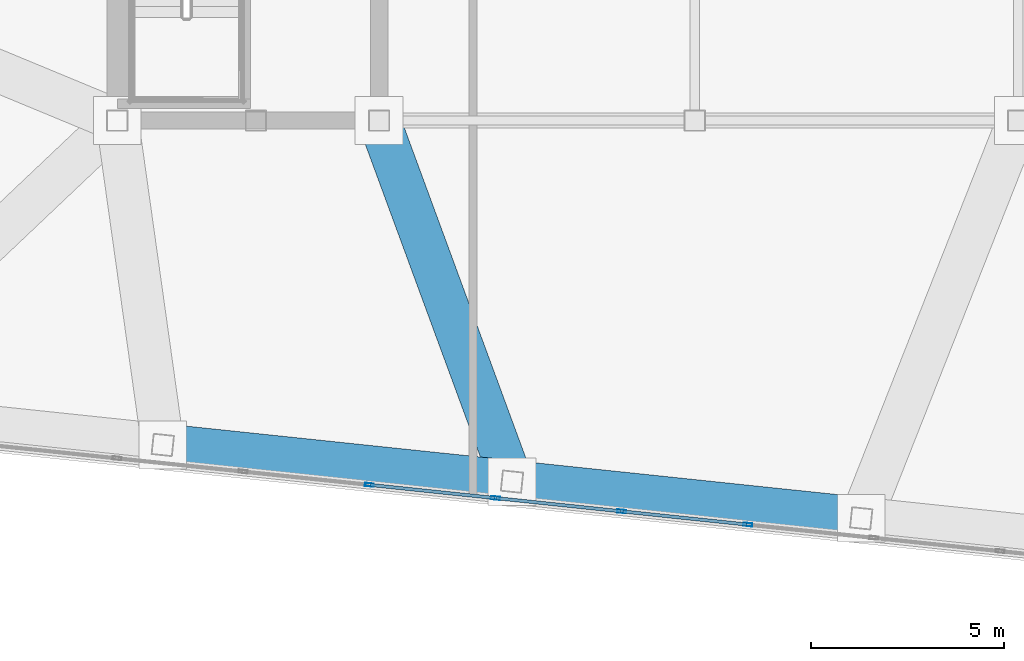
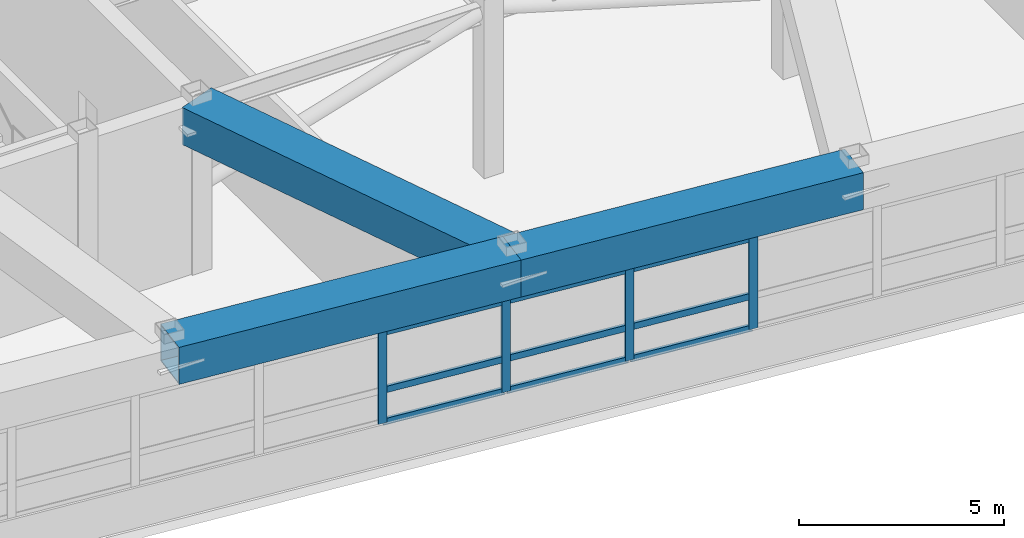
# One storey, part 4 of 23: 13 members, 3 beams, 1 element without a shape of its own.
"""IFC4 building model written with IfcOpenShell, lengths in metres."""

from ifc_helpers import new_model, si_unit, direction, frame, origin, origin_2d, place, context, subcontext, project, spatial, hollow_rectangle, extrude, material, layer, layer_set, material_profile, profile_set, type_object, element, aggregate, save


model = new_model("IFC4")

# Units and contexts
model_context = context("Model", 3, precision=1e-05, world=origin(), true_north=direction((0.0, 1.0)))
body_context = subcontext(model_context, "Body", "Model", "MODEL_VIEW")
ifc_project = project(units=[si_unit("LENGTHUNIT", "METRE"), si_unit("AREAUNIT", "SQUARE_METRE"), si_unit("VOLUMEUNIT", "CUBIC_METRE"), si_unit("PLANEANGLEUNIT", "RADIAN"), si_unit("MASSUNIT", "GRAM", prefix="KILO")], contexts=[model_context])

# Site, building, storey
site_placement = place(None, origin())
site = spatial("IfcSite", under=ifc_project, at=site_placement, CompositionType="ELEMENT")
building_placement = place(site_placement, origin())
building = spatial("IfcBuilding", under=site, at=building_placement, Name="Voryun Gate Residences", CompositionType="ELEMENT")
storey_placement = place(building_placement, frame((0.0, 0.0, 316.0)))
storey = spatial("IfcBuildingStorey", under=building, at=storey_placement, Name="L78", CompositionType="ELEMENT", Elevation=316.0)

# Beams
ifc_material_1 = material(Name="Steel SM420", Category="steel")
ifc_material_profile_1 = material_profile(ifc_material_1, hollow_rectangle(XDim=1.10009765625, YDim=1.10009765625, WallThickness=0.035888671875, at=origin_2d()), Name="BOX-1100x1100x36")
ifc_profile_set_1 = profile_set([ifc_material_profile_1], Name="Steel SM420")
beam_type = type_object("IfcBeamType", Name="BM_ARCH_RIB", PredefinedType="USERDEFINED", material=ifc_profile_set_1)
beam_1_placement = place(storey_placement, frame((-18.0185546875, -15.824951171875, 4.47509765625), z_axis=(0.994521136856, -0.104535679778, 0.0), x_axis=(0.104535679778, 0.994521136856, 0.0)))
element("IfcBeam", 1, at=beam_1_placement, inside=storey, type_object=beam_type, Name="BM-L78-SPAND-02", ObjectType="GIRDER", PredefinedType="USERDEFINED", context=body_context, shape_type="SweptSolid", body=[
    extrude(hollow_rectangle(XDim=1.10009765625, YDim=1.10009765625, WallThickness=0.035888671875, at=origin_2d()), origin(), (0.0, 0.0, 1.0), 9.1201171875),
])
beam_2_placement = place(storey_placement, frame((-8.948486328125, -16.7783203125, 4.47509765625), z_axis=(0.994520844313, -0.104538462908, 0.0), x_axis=(0.104538462908, 0.994520844313, 0.0)))
element("IfcBeam", 2, at=beam_2_placement, inside=storey, type_object=beam_type, Name="BM-L78-SPAND-03", ObjectType="GIRDER", PredefinedType="USERDEFINED", context=body_context, shape_type="SweptSolid", body=[
    extrude(hollow_rectangle(XDim=1.10009765625, YDim=1.10009765625, WallThickness=0.035888671875, at=origin_2d()), origin(), (0.0, 0.0, 1.0), 9.119873046875),
])
beam_3_placement = place(storey_placement, frame((-12.39990234375, -7.39990234375, 4.47509765625), z_axis=(0.345371356654, -0.938466102746, 0.0), x_axis=(0.938466102746, 0.345371356654, 0.0)))
element("IfcBeam", 3, at=beam_3_placement, inside=storey, type_object=beam_type, Name="BM-L78-RAD-S3", ObjectType="GIRDER", PredefinedType="USERDEFINED", context=body_context, shape_type="SweptSolid", body=[
    extrude(hollow_rectangle(XDim=1.10009765625, YDim=1.10009765625, WallThickness=0.035888671875, at=origin_2d()), origin(), (0.0, 0.0, 1.0), 9.993408203125),
])

# Curtain wall, members
ifc_material_2 = material(Name="Anodised aluminium", Category="aluminium")
ifc_layer = layer(ifc_material_2, 0.22998046875, Name="CW_SYS_LANTERN_DARK_GLASS")
ifc_layer_set = layer_set([ifc_layer], Name="Anodised aluminium")
curtain_wall_type = type_object("IfcCurtainWallType", Name="CW_SYS_LANTERN_DARK_GLASS", PredefinedType="NOTDEFINED", material=ifc_layer_set)
curtain_wall_placement = place(storey_placement, origin())
curtain_wall = element("IfcCurtainWall", 4, at=curtain_wall_placement, inside=storey, type_object=curtain_wall_type, Name="Curtain wall CW6-L78-01", PredefinedType="NOTDEFINED")
ifc_material_3 = material(Name="Anodised aluminium", Category="aluminium")
ifc_material_profile_2 = material_profile(ifc_material_3, hollow_rectangle(XDim=0.0849609375, YDim=0.22998046875, WallThickness=0.006103515625, at=origin_2d()), Name="ALU-MULL-230x85x6")
ifc_profile_set_2 = profile_set([ifc_material_profile_2], Name="Anodised aluminium")
member_type_1 = type_object("IfcMemberType", Name="CW_MULL_LANT", PredefinedType="MULLION", material=ifc_profile_set_2)
member_1_placement = place(storey_placement, frame((-2.82421875, -17.89453125, 1.18994140625), z_axis=(0.0, 0.0, 1.0), x_axis=(-0.10452775858, -0.994521969434, 0.0)))
member_1 = element("IfcMember", 5, at=member_1_placement, type_object=member_type_1, Name="CW6 mullion 7", PredefinedType="MULLION", context=body_context, shape_type="SweptSolid", body=[
    extrude(hollow_rectangle(XDim=0.0849609375, YDim=0.22998046875, WallThickness=0.006103515625, at=origin_2d()), origin(), (0.0, 0.0, 1.0), 2.72509765625),
])
member_2_placement = place(storey_placement, frame((-6.10107421875, -17.55029296875, 1.18994140625), z_axis=(0.0, 0.0, 1.0), x_axis=(-0.10452775858, -0.994521969434, 0.0)))
member_2 = element("IfcMember", 6, at=member_2_placement, type_object=member_type_1, Name="CW6 mullion 8", PredefinedType="MULLION", context=body_context, shape_type="SweptSolid", body=[
    extrude(hollow_rectangle(XDim=0.0849609375, YDim=0.22998046875, WallThickness=0.006103515625, at=origin_2d()), origin(), (0.0, 0.0, 1.0), 2.72509765625),
])
member_3_placement = place(storey_placement, frame((-9.377685546875, -17.205810546875, 1.18994140625), z_axis=(0.0, 0.0, 1.0), x_axis=(-0.10452775858, -0.994521969434, 0.0)))
member_3 = element("IfcMember", 7, at=member_3_placement, type_object=member_type_1, Name="CW6 mullion 9", PredefinedType="MULLION", context=body_context, shape_type="SweptSolid", body=[
    extrude(hollow_rectangle(XDim=0.0849609375, YDim=0.22998046875, WallThickness=0.006103515625, at=origin_2d()), origin(), (0.0, 0.0, 1.0), 2.72509765625),
])
member_4_placement = place(storey_placement, frame((-12.654296875, -16.861328125, 1.18994140625), z_axis=(0.0, 0.0, 1.0), x_axis=(-0.10452775858, -0.994521969434, 0.0)))
member_4 = element("IfcMember", 8, at=member_4_placement, type_object=member_type_1, Name="CW6 mullion 10", PredefinedType="MULLION", context=body_context, shape_type="SweptSolid", body=[
    extrude(hollow_rectangle(XDim=0.0849609375, YDim=0.22998046875, WallThickness=0.006103515625, at=origin_2d()), origin(), (0.0, 0.0, 1.0), 2.72509765625),
])
ifc_material_4 = material(Name="Anodised aluminium", Category="aluminium")
ifc_material_profile_3 = material_profile(ifc_material_4, hollow_rectangle(XDim=0.0849609375, YDim=0.18994140625, WallThickness=0.006103515625, at=origin_2d()), Name="ALU-TRAN-190x85x6")
ifc_profile_set_3 = profile_set([ifc_material_profile_3], Name="Anodised aluminium")
member_type_2 = type_object("IfcMemberType", Name="CW_TRAN_LANT", PredefinedType="USERDEFINED", material=ifc_profile_set_3)
member_5_placement = place(storey_placement, frame((-2.854248046875, -17.891357421875, 1.219970703125), z_axis=(-0.994520745033, 0.104539407398, 0.0), x_axis=(-0.104539407398, -0.994520745033, 0.0)))
member_5 = element("IfcMember", 9, at=member_5_placement, type_object=member_type_2, Name="CW6 transom 7.1", ObjectType="TRANSOM", PredefinedType="USERDEFINED", context=body_context, shape_type="SweptSolid", body=[
    extrude(hollow_rectangle(XDim=0.0849609375, YDim=0.18994140625, WallThickness=0.006103515625, at=origin_2d()), origin(), (0.0, 0.0, 1.0), 3.234619140625),
])
member_6_placement = place(storey_placement, frame((-2.854248046875, -17.891357421875, 2.1708984375), z_axis=(-0.994520745033, 0.104539407398, 0.0), x_axis=(-0.104539407398, -0.994520745033, 0.0)))
member_6 = element("IfcMember", 10, at=member_6_placement, type_object=member_type_2, Name="CW6 transom 7.2", ObjectType="TRANSOM", PredefinedType="USERDEFINED", context=body_context, shape_type="SweptSolid", body=[
    extrude(hollow_rectangle(XDim=0.0849609375, YDim=0.18994140625, WallThickness=0.006103515625, at=origin_2d()), origin(), (0.0, 0.0, 1.0), 3.234619140625),
])
member_7_placement = place(storey_placement, frame((-2.854248046875, -17.891357421875, 3.885009765625), z_axis=(-0.994520745033, 0.104539407398, 0.0), x_axis=(-0.104539407398, -0.994520745033, 0.0)))
member_7 = element("IfcMember", 11, at=member_7_placement, type_object=member_type_2, Name="CW6 transom 7.3", ObjectType="TRANSOM", PredefinedType="USERDEFINED", context=body_context, shape_type="SweptSolid", body=[
    extrude(hollow_rectangle(XDim=0.0849609375, YDim=0.18994140625, WallThickness=0.006103515625, at=origin_2d()), origin(), (0.0, 0.0, 1.0), 3.234619140625),
])
member_8_placement = place(storey_placement, frame((-6.130859375, -17.547119140625, 1.219970703125), z_axis=(-0.994520745033, 0.104539407398, 0.0), x_axis=(-0.104539407398, -0.994520745033, 0.0)))
member_8 = element("IfcMember", 12, at=member_8_placement, type_object=member_type_2, Name="CW6 transom 8.1", ObjectType="TRANSOM", PredefinedType="USERDEFINED", context=body_context, shape_type="SweptSolid", body=[
    extrude(hollow_rectangle(XDim=0.0849609375, YDim=0.18994140625, WallThickness=0.006103515625, at=origin_2d()), origin(), (0.0, 0.0, 1.0), 3.234619140625),
])
member_9_placement = place(storey_placement, frame((-6.130859375, -17.547119140625, 2.1708984375), z_axis=(-0.994520745033, 0.104539407398, 0.0), x_axis=(-0.104539407398, -0.994520745033, 0.0)))
member_9 = element("IfcMember", 13, at=member_9_placement, type_object=member_type_2, Name="CW6 transom 8.2", ObjectType="TRANSOM", PredefinedType="USERDEFINED", context=body_context, shape_type="SweptSolid", body=[
    extrude(hollow_rectangle(XDim=0.0849609375, YDim=0.18994140625, WallThickness=0.006103515625, at=origin_2d()), origin(), (0.0, 0.0, 1.0), 3.234619140625),
])
member_10_placement = place(storey_placement, frame((-6.130859375, -17.547119140625, 3.885009765625), z_axis=(-0.994520745033, 0.104539407398, 0.0), x_axis=(-0.104539407398, -0.994520745033, 0.0)))
member_10 = element("IfcMember", 14, at=member_10_placement, type_object=member_type_2, Name="CW6 transom 8.3", ObjectType="TRANSOM", PredefinedType="USERDEFINED", context=body_context, shape_type="SweptSolid", body=[
    extrude(hollow_rectangle(XDim=0.0849609375, YDim=0.18994140625, WallThickness=0.006103515625, at=origin_2d()), origin(), (0.0, 0.0, 1.0), 3.234619140625),
])
member_11_placement = place(storey_placement, frame((-9.407470703125, -17.20263671875, 1.219970703125), z_axis=(-0.994520745033, 0.104539407398, 0.0), x_axis=(-0.104539407398, -0.994520745033, 0.0)))
member_11 = element("IfcMember", 15, at=member_11_placement, type_object=member_type_2, Name="CW6 transom 9.1", ObjectType="TRANSOM", PredefinedType="USERDEFINED", context=body_context, shape_type="SweptSolid", body=[
    extrude(hollow_rectangle(XDim=0.0849609375, YDim=0.18994140625, WallThickness=0.006103515625, at=origin_2d()), origin(), (0.0, 0.0, 1.0), 3.234619140625),
])
member_12_placement = place(storey_placement, frame((-9.407470703125, -17.20263671875, 2.1708984375), z_axis=(-0.994520745033, 0.104539407398, 0.0), x_axis=(-0.104539407398, -0.994520745033, 0.0)))
member_12 = element("IfcMember", 16, at=member_12_placement, type_object=member_type_2, Name="CW6 transom 9.2", ObjectType="TRANSOM", PredefinedType="USERDEFINED", context=body_context, shape_type="SweptSolid", body=[
    extrude(hollow_rectangle(XDim=0.0849609375, YDim=0.18994140625, WallThickness=0.006103515625, at=origin_2d()), origin(), (0.0, 0.0, 1.0), 3.234619140625),
])
member_13_placement = place(storey_placement, frame((-9.407470703125, -17.20263671875, 3.885009765625), z_axis=(-0.994520745033, 0.104539407398, 0.0), x_axis=(-0.104539407398, -0.994520745033, 0.0)))
member_13 = element("IfcMember", 17, at=member_13_placement, type_object=member_type_2, Name="CW6 transom 9.3", ObjectType="TRANSOM", PredefinedType="USERDEFINED", context=body_context, shape_type="SweptSolid", body=[
    extrude(hollow_rectangle(XDim=0.0849609375, YDim=0.18994140625, WallThickness=0.006103515625, at=origin_2d()), origin(), (0.0, 0.0, 1.0), 3.234619140625),
])
aggregate(curtain_wall, [member_1, member_2, member_3, member_4, member_5, member_6, member_7, member_8, member_9, member_10, member_11, member_12, member_13])

save(model, "model.ifc")
